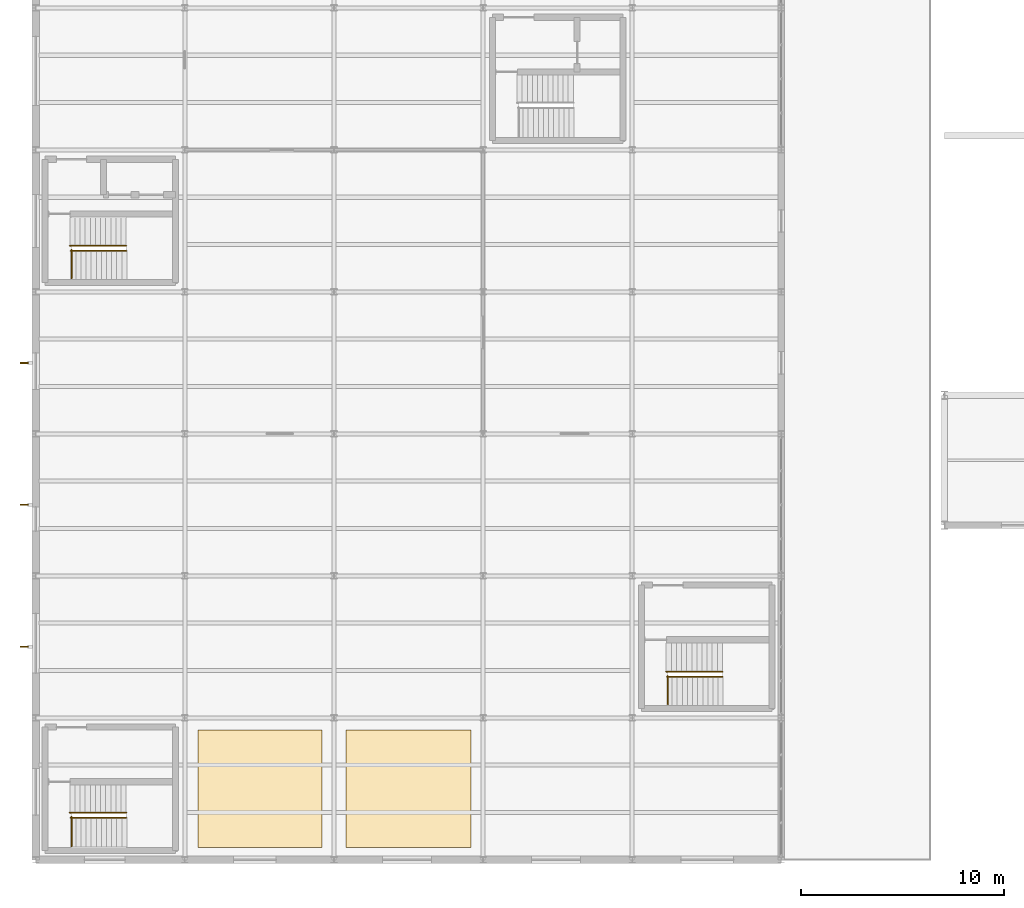
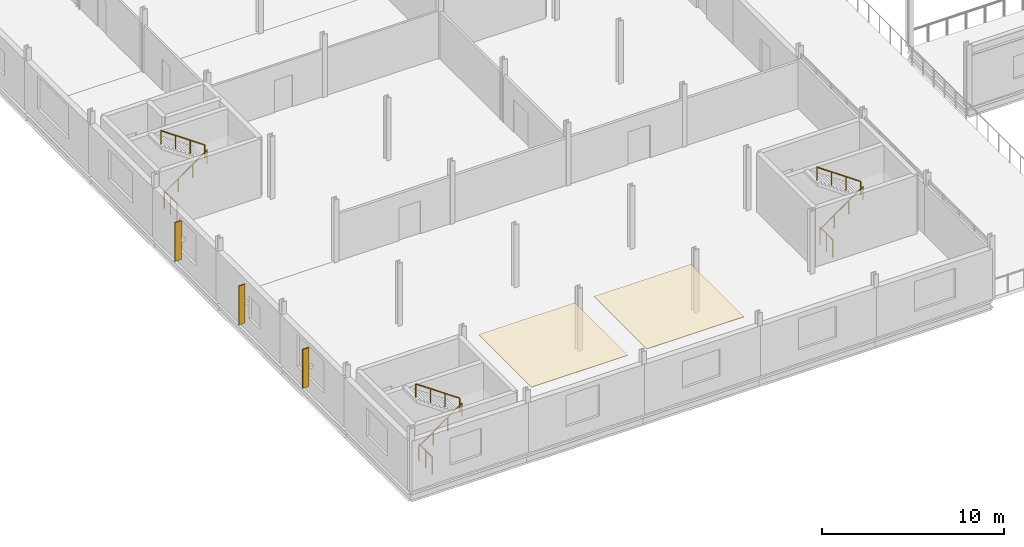
# One storey, part 36 of 39: 9 railings, 3 shading devices, 2 coverings.
"""IFC4 building model written with IfcOpenShell, lengths in metres."""

from ifc_helpers import new_model, si_unit, direction, frame, origin, origin_2d, place, context, subcontext, project, spatial, polyline, rectangle, circle, outline, extrude, material, layer, layer_set, type_object, element, save


model = new_model("IFC4")

# Units and contexts
model_context = context("Model", 3, precision=1e-05, world=origin(), true_north=direction((0.0, 1.0)))
body_context = subcontext(model_context, "Body", "Model", "MODEL_VIEW")
ifc_project = project(units=[si_unit("LENGTHUNIT", "METRE"), si_unit("AREAUNIT", "SQUARE_METRE"), si_unit("VOLUMEUNIT", "CUBIC_METRE"), si_unit("PLANEANGLEUNIT", "RADIAN"), si_unit("MASSUNIT", "GRAM", prefix="KILO")], contexts=[model_context])

# Site, building, storey
site_placement = place(None, origin())
site = spatial("IfcSite", under=ifc_project, at=site_placement, CompositionType="ELEMENT")
building_placement = place(site_placement, origin())
building = spatial("IfcBuilding", under=site, at=building_placement, Name="Kazenagashi Tramway Depot", CompositionType="ELEMENT")
storey_placement = place(building_placement, frame((0.0, 0.0, 11.1)))
storey = spatial("IfcBuildingStorey", under=building, at=storey_placement, Name="L03", CompositionType="ELEMENT", Elevation=11.1)

# Coverings
ifc_material_1 = material(Name="Acoustic Mineral Fibre Board", Category="insulation")
ifc_layer_1 = layer(ifc_material_1, 0.035)
ifc_layer_set_1 = layer_set([ifc_layer_1], Name="Acoustic Mineral Fibre Board")
covering_type = type_object("IfcCoveringType", Name="CV-CE1", PredefinedType="CEILING", material=ifc_layer_set_1)
covering_1_placement = place(storey_placement, frame((0.0, 0.0, 3.67)))
element("IfcCovering", 1, at=covering_1_placement, inside=storey, type_object=covering_type, Name="Acoustic Baffle Ceiling Panel 4", PredefinedType="CEILING", context=body_context, shape_type="SweptSolid", body=[
    extrude(outline(polyline([(8.0, 0.6), (14.1, 0.6), (14.1, 6.4), (8.0, 6.4), (8.0, 0.6)])), origin(), (0.0, 0.0, 1.0), 0.035),
])
covering_2_placement = place(storey_placement, frame((0.0, 0.0, 3.67)))
element("IfcCovering", 2, at=covering_2_placement, inside=storey, type_object=covering_type, Name="Acoustic Baffle Ceiling Panel 5", PredefinedType="CEILING", context=body_context, shape_type="SweptSolid", body=[
    extrude(outline(polyline([(15.3, 0.6), (21.45, 0.6), (21.45, 6.4), (15.3, 6.4), (15.3, 0.6)])), origin(), (0.0, 0.0, 1.0), 0.035),
])

# Railings
ifc_material_2 = material(Name="Galvanised Painted Steel Balustrade", Category="steel")
railing_type_1 = type_object("IfcRailingType", Name="GR-01", PredefinedType="GUARDRAIL", material=ifc_material_2)
for number, where, name in (
    (3, (1.76, 28.67, 0.0), "Stairwell ST-02 Arrival Guardrail"),
    (4, (31.16, 7.67, 0.0), "Stairwell ST-10 Arrival Guardrail"),
):
    element("IfcRailing", number, at=place(storey_placement, frame(where)), inside=storey, type_object=railing_type_1, Name=name, PredefinedType="GUARDRAIL", context=body_context, shape_type="SweptSolid", body=[
        extrude(circle(Radius=0.024, at=origin_2d()), frame((0.0, 0.0, 1.156), z_axis=(0.0, 1.0, 0.0), x_axis=(-1.0, 0.0, 0.0)), (0.0, 0.0, 1.0), 1.4),
        extrude(circle(Radius=0.021, at=origin_2d()), origin(), (0.0, 0.0, 1.0), 1.132),
        extrude(circle(Radius=0.021, at=origin_2d()), frame((0.0, 0.7, 0.0)), (0.0, 0.0, 1.0), 1.132),
        extrude(circle(Radius=0.021, at=origin_2d()), frame((0.0, 1.4, 0.0)), (0.0, 0.0, 1.0), 1.132),
    ])
railing_1_placement = place(storey_placement, frame((1.76, 0.67, 0.0)))
element("IfcRailing", 5, at=railing_1_placement, inside=storey, type_object=railing_type_1, Name="Stairwell ST-13 Arrival Guardrail", PredefinedType="GUARDRAIL", context=body_context, shape_type="SweptSolid", body=[
    extrude(circle(Radius=0.024, at=origin_2d()), frame((0.0, 0.0, 1.156), z_axis=(0.0, 1.0, 0.0), x_axis=(-1.0, 0.0, 0.0)), (0.0, 0.0, 1.0), 1.45),
    extrude(circle(Radius=0.021, at=origin_2d()), origin(), (0.0, 0.0, 1.0), 1.132),
    extrude(circle(Radius=0.021, at=origin_2d()), frame((0.0, 0.725, 0.0)), (0.0, 0.0, 1.0), 1.132),
    extrude(circle(Radius=0.021, at=origin_2d()), frame((0.0, 1.45, 0.0)), (0.0, 0.0, 1.0), 1.132),
])
ifc_material_3 = material(Name="Brushed Stainless Steel Handrail", Category="steel")
railing_type_2 = type_object("IfcRailingType", Name="HR-01", PredefinedType="HANDRAIL", material=ifc_material_3)
railing_2_placement = place(storey_placement, frame((1.72, 30.02, 0.175)))
element("IfcRailing", 6, at=railing_2_placement, inside=storey, type_object=railing_type_2, Name="Stair ST-03 Lower Handrail", PredefinedType="HANDRAIL", context=body_context, shape_type="SweptSolid", body=[
    extrude(circle(Radius=0.024, at=origin_2d()), frame((0.0, 0.0, 0.876), z_axis=(0.817456817738, 0.0, 0.575989888048), x_axis=(0.0, 1.0, 0.0)), (0.0, 0.0, 1.0), 3.342073),
    extrude(circle(Radius=0.021, at=origin_2d()), origin(), (0.0, 0.0, 1.0), 0.852),
    extrude(circle(Radius=0.021, at=origin_2d()), frame((0.910667, 0.0, 0.641667)), (0.0, 0.0, 1.0), 0.852),
    extrude(circle(Radius=0.021, at=origin_2d()), frame((1.821333, 0.0, 1.283333)), (0.0, 0.0, 1.0), 0.852),
    extrude(circle(Radius=0.021, at=origin_2d()), frame((2.732, 0.0, 1.925)), (0.0, 0.0, 1.0), 0.852),
])
railing_3_placement = place(storey_placement, frame((4.452, 30.28, 2.275)))
element("IfcRailing", 7, at=railing_3_placement, inside=storey, type_object=railing_type_2, Name="Stair ST-03 Upper Handrail", PredefinedType="HANDRAIL", context=body_context, shape_type="SweptSolid", body=[
    extrude(circle(Radius=0.024, at=origin_2d()), frame((0.0, 0.0, 0.876), z_axis=(-0.821369965673, 0.0, 0.570395809495), x_axis=(0.0, -1.0, 0.0)), (0.0, 0.0, 1.0), 3.374849),
    extrude(circle(Radius=0.021, at=origin_2d()), origin(), (0.0, 0.0, 1.0), 0.852),
    extrude(circle(Radius=0.021, at=origin_2d()), frame((-0.924, 0.0, 0.641667)), (0.0, 0.0, 1.0), 0.852),
    extrude(circle(Radius=0.021, at=origin_2d()), frame((-1.848, 0.0, 1.283333)), (0.0, 0.0, 1.0), 0.852),
    extrude(circle(Radius=0.021, at=origin_2d()), frame((-2.772, 0.0, 1.925)), (0.0, 0.0, 1.0), 0.852),
])
railing_4_placement = place(storey_placement, frame((31.12, 9.02, 0.175)))
element("IfcRailing", 8, at=railing_4_placement, inside=storey, type_object=railing_type_2, Name="Stair ST-11 Lower Handrail", PredefinedType="HANDRAIL", context=body_context, shape_type="SweptSolid", body=[
    extrude(circle(Radius=0.024, at=origin_2d()), frame((0.0, 0.0, 0.876), z_axis=(0.817456817738, 0.0, 0.575989888048), x_axis=(0.0, 1.0, 0.0)), (0.0, 0.0, 1.0), 3.342073),
    extrude(circle(Radius=0.021, at=origin_2d()), origin(), (0.0, 0.0, 1.0), 0.852),
    extrude(circle(Radius=0.021, at=origin_2d()), frame((0.910667, 0.0, 0.641667)), (0.0, 0.0, 1.0), 0.852),
    extrude(circle(Radius=0.021, at=origin_2d()), frame((1.821333, 0.0, 1.283333)), (0.0, 0.0, 1.0), 0.852),
    extrude(circle(Radius=0.021, at=origin_2d()), frame((2.732, 0.0, 1.925)), (0.0, 0.0, 1.0), 0.852),
])
railing_5_placement = place(storey_placement, frame((33.852, 9.28, 2.275)))
element("IfcRailing", 9, at=railing_5_placement, inside=storey, type_object=railing_type_2, Name="Stair ST-11 Upper Handrail", PredefinedType="HANDRAIL", context=body_context, shape_type="SweptSolid", body=[
    extrude(circle(Radius=0.024, at=origin_2d()), frame((0.0, 0.0, 0.876), z_axis=(-0.821369965673, 0.0, 0.570395809495), x_axis=(0.0, -1.0, 0.0)), (0.0, 0.0, 1.0), 3.374849),
    extrude(circle(Radius=0.021, at=origin_2d()), origin(), (0.0, 0.0, 1.0), 0.852),
    extrude(circle(Radius=0.021, at=origin_2d()), frame((-0.924, 0.0, 0.641667)), (0.0, 0.0, 1.0), 0.852),
    extrude(circle(Radius=0.021, at=origin_2d()), frame((-1.848, 0.0, 1.283333)), (0.0, 0.0, 1.0), 0.852),
    extrude(circle(Radius=0.021, at=origin_2d()), frame((-2.772, 0.0, 1.925)), (0.0, 0.0, 1.0), 0.852),
])
railing_6_placement = place(storey_placement, frame((1.72, 2.07, 0.175)))
element("IfcRailing", 10, at=railing_6_placement, inside=storey, type_object=railing_type_2, Name="Stair ST-14 Lower Handrail", PredefinedType="HANDRAIL", context=body_context, shape_type="SweptSolid", body=[
    extrude(circle(Radius=0.024, at=origin_2d()), frame((0.0, 0.0, 0.876), z_axis=(0.817456817738, 0.0, 0.575989888048), x_axis=(0.0, 1.0, 0.0)), (0.0, 0.0, 1.0), 3.342073),
    extrude(circle(Radius=0.021, at=origin_2d()), origin(), (0.0, 0.0, 1.0), 0.852),
    extrude(circle(Radius=0.021, at=origin_2d()), frame((0.910667, 0.0, 0.641667)), (0.0, 0.0, 1.0), 0.852),
    extrude(circle(Radius=0.021, at=origin_2d()), frame((1.821333, 0.0, 1.283333)), (0.0, 0.0, 1.0), 0.852),
    extrude(circle(Radius=0.021, at=origin_2d()), frame((2.732, 0.0, 1.925)), (0.0, 0.0, 1.0), 0.852),
])
railing_7_placement = place(storey_placement, frame((4.452, 2.33, 2.275)))
element("IfcRailing", 11, at=railing_7_placement, inside=storey, type_object=railing_type_2, Name="Stair ST-14 Upper Handrail", PredefinedType="HANDRAIL", context=body_context, shape_type="SweptSolid", body=[
    extrude(circle(Radius=0.024, at=origin_2d()), frame((0.0, 0.0, 0.876), z_axis=(-0.821369965673, 0.0, 0.570395809495), x_axis=(0.0, -1.0, 0.0)), (0.0, 0.0, 1.0), 3.374849),
    extrude(circle(Radius=0.021, at=origin_2d()), origin(), (0.0, 0.0, 1.0), 0.852),
    extrude(circle(Radius=0.021, at=origin_2d()), frame((-0.924, 0.0, 0.641667)), (0.0, 0.0, 1.0), 0.852),
    extrude(circle(Radius=0.021, at=origin_2d()), frame((-1.848, 0.0, 1.283333)), (0.0, 0.0, 1.0), 0.852),
    extrude(circle(Radius=0.021, at=origin_2d()), frame((-2.772, 0.0, 1.925)), (0.0, 0.0, 1.0), 0.852),
])

# Shading devices
ifc_material_4 = material(Name="Anodised Aluminium Solar Fin", Category="aluminium")
ifc_layer_2 = layer(ifc_material_4, 0.06)
ifc_layer_set_2 = layer_set([ifc_layer_2], Name="Anodised Aluminium Solar Fin")
shading_device_type = type_object("IfcShadingDeviceType", Name="SH-FN1", PredefinedType="USERDEFINED", material=ifc_layer_set_2)
for number, where, z_axis, x_axis, name in (
    (12, (-0.58, 10.5, 0.7), (0.0, 0.0, 1.0), (1.0, 0.0, 0.0), "Vertical Aluminium Solar Shading Fin 6"),
    (13, (-0.58, 17.5, 0.7), (0.0, 0.0, 1.0), (1.0, 0.0, 0.0), "Vertical Aluminium Solar Shading Fin 7"),
    (14, (-0.58, 24.5, 0.7), (0.0, 0.0, 1.0), (1.0, 0.0, 0.0), "Vertical Aluminium Solar Shading Fin 8"),
):
    element("IfcShadingDevice", number, at=place(storey_placement, frame(where, z_axis=z_axis, x_axis=x_axis)), inside=storey, type_object=shading_device_type, Name=name, ObjectType="BRISE SOLEIL", PredefinedType="USERDEFINED", context=body_context, shape_type="SweptSolid", body=[
        extrude(rectangle(XDim=0.4, YDim=0.06, at=origin_2d()), origin(), (0.0, 0.0, 1.0), 2.6),
    ])

save(model, "model.ifc")
